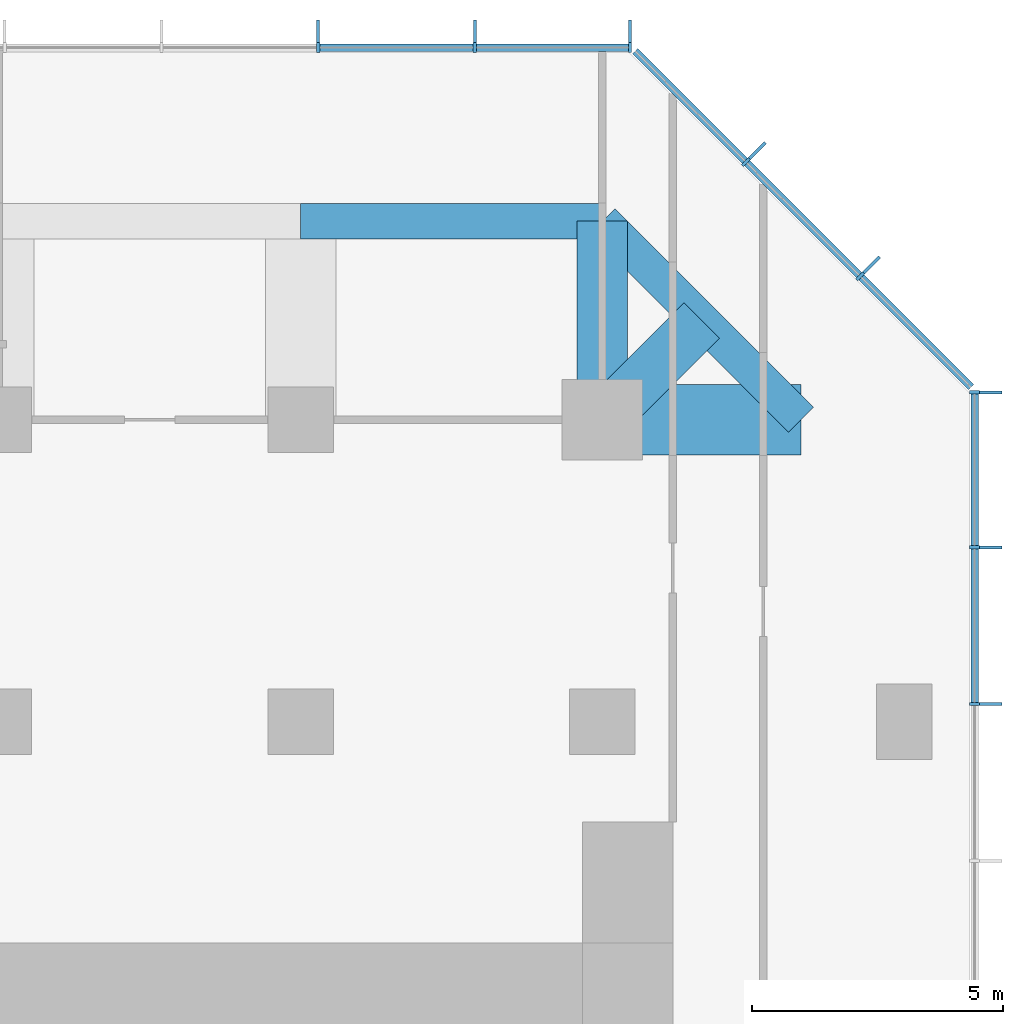
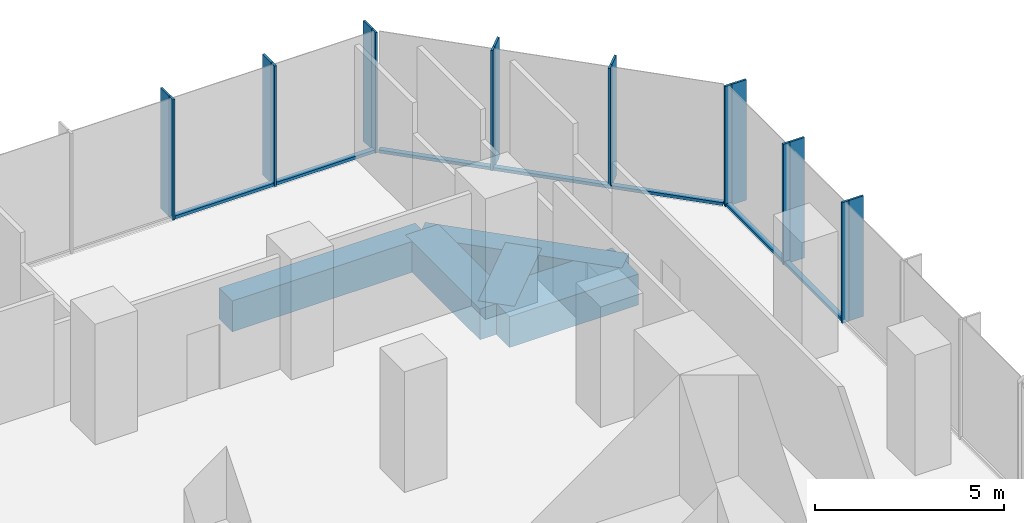
# One storey, part 6 of 11: 23 members, 5 beams, 3 elements without a shape of their own.
"""IFC4 building model written with IfcOpenShell, lengths in metres."""

import ifcopenshell
import ifcopenshell.guid

model = None  # the IFC model being written
_history = None  # IfcOwnerHistory: only IFC2X3 demands one
_inside = {}  # id of a spatial element -> (the spatial element, [elements in it])
_under = {}  # id of a project, library or spatial element -> (it, [spatial elements below it])
_declared = {}  # id of a project -> (the project, [libraries it declares])
_typed = {}  # id of a type object -> (the type object, [elements of that type])
_made_of = {}  # id of a material, layer set ... -> (it, [elements and type objects made of it])


def new_model(schema):
    """Start an empty IFC model of exactly this schema.

    Asked for "IFC4X3", IfcOpenShell would pick the latest addendum, in which some entities
    have other attributes; the version numbers below select the first issue.
    IFC2X3 requires an IfcOwnerHistory on every rooted entity: one is made here for all.
    """
    global model, _history
    if schema == "IFC4X3":
        model = ifcopenshell.file(schema_version=(4, 3, 0, 0))
    else:
        model = ifcopenshell.file(schema=schema)
    _inside.clear()
    _under.clear()
    _declared.clear()
    _typed.clear()
    _made_of.clear()
    _history = None
    if model.schema == "IFC2X3":
        org = make("IfcOrganization", Name="unknown")
        user = make(
            "IfcPersonAndOrganization",
            ThePerson=make("IfcPerson", FamilyName="unknown"),
            TheOrganization=org,
        )
        app = make(
            "IfcApplication",
            ApplicationDeveloper=org,
            Version="unknown",
            ApplicationFullName="unknown",
            ApplicationIdentifier="unknown",
        )
        _history = make(
            "IfcOwnerHistory",
            OwningUser=user,
            OwningApplication=app,
            ChangeAction="ADDED",
            CreationDate=0,
        )
    return model


def make(cls, **values):
    """One entity of the class cls with the attributes given. An attribute that is None is left unset."""
    return model.create_entity(
        cls, **{name: value for name, value in values.items() if value is not None}
    )


def rooted(cls, **values):
    """An entity with a GlobalId (a new one), such as an element, a storey or a relation."""
    return make(cls, GlobalId=ifcopenshell.guid.new(), OwnerHistory=_history, **values)


def si_unit(unit_type, name, prefix=None):
    """IfcSIUnit, for example si_unit("LENGTHUNIT", "METRE", prefix="MILLI")."""
    return make("IfcSIUnit", UnitType=unit_type, Prefix=prefix, Name=name)


def assignment(units):
    """IfcUnitAssignment: the units of a project."""
    return None if units is None else make("IfcUnitAssignment", Units=units)


def point(xyz):
    """IfcCartesianPoint."""
    return None if xyz is None else make("IfcCartesianPoint", Coordinates=xyz)


def direction(xyz):
    """IfcDirection."""
    return None if xyz is None else make("IfcDirection", DirectionRatios=xyz)


def frame(location, z_axis=None, x_axis=None):
    """IfcAxis2Placement3D, a coordinate frame: its origin and axes. An axis left out is left unset."""
    return make(
        "IfcAxis2Placement3D",
        Location=point(location),
        Axis=direction(z_axis),
        RefDirection=direction(x_axis),
    )


def frame_2d(location, x_axis=None):
    """IfcAxis2Placement2D, a coordinate frame in the plane: its origin and x axis."""
    return make(
        "IfcAxis2Placement2D", Location=point(location), RefDirection=direction(x_axis)
    )


def origin():
    """The frame at (0, 0, 0) with its axes left unset."""
    return frame((0.0, 0.0, 0.0))


def origin_2d():
    """The frame at (0, 0) in the plane with its x axis left unset."""
    return frame_2d((0.0, 0.0))


def place(relative_to, where):
    """IfcLocalPlacement: puts the frame where relative to a parent placement (None: the world)."""
    return make(
        "IfcLocalPlacement", PlacementRelTo=relative_to, RelativePlacement=where
    )


def context(
    kind, dimensions, precision=None, world=None, true_north=None, identifier=None
):
    """IfcGeometricRepresentationContext, for example the 3D "Model" context."""
    return make(
        "IfcGeometricRepresentationContext",
        ContextIdentifier=identifier,
        ContextType=kind,
        CoordinateSpaceDimension=dimensions,
        Precision=precision,
        WorldCoordinateSystem=world,
        TrueNorth=true_north,
    )


def subcontext(parent, identifier, kind, view, scale=None):
    """IfcGeometricRepresentationSubContext, for example "Body" below "Model"."""
    return make(
        "IfcGeometricRepresentationSubContext",
        ContextIdentifier=identifier,
        ContextType=kind,
        ParentContext=parent,
        TargetScale=scale,
        TargetView=view,
    )


def project(units=None, contexts=None):
    """IfcProject with its units and contexts."""
    return rooted(
        "IfcProject",
        Name="project",
        RepresentationContexts=contexts,
        UnitsInContext=assignment(units),
    )


def spatial(cls, under=None, at=None, **own):
    """A site, building, storey or space (cls), placed at a placement, below another one or the project."""
    s = rooted(cls, ObjectPlacement=at, **own)
    if under is not None:
        _under.setdefault(under.id(), (under, []))[1].append(s)
    return s


def profile(cls, at=None, kind="AREA", **sizes):
    """A parametric profile (cls). Its sizes go by their IFC names, for example OverallWidth=200.0."""
    return make(cls, ProfileType=kind, Position=at, **sizes)


def rectangle(**sizes):
    """IfcRectangleProfileDef."""
    return profile("IfcRectangleProfileDef", **sizes)


def extrude(swept, where, along, depth):
    """IfcExtrudedAreaSolid: the profile swept, set in the frame where, extruded along a direction by depth."""
    return make(
        "IfcExtrudedAreaSolid",
        SweptArea=swept,
        Position=where,
        ExtrudedDirection=direction(along),
        Depth=depth,
    )


def shape(context_of_items, identifier, shape_type, items):
    """IfcShapeRepresentation: the items that make up one representation, for example the "Body"."""
    return make(
        "IfcShapeRepresentation",
        ContextOfItems=context_of_items,
        RepresentationIdentifier=identifier,
        RepresentationType=shape_type,
        Items=items,
    )


def material(Name=None, Category=None):
    """IfcMaterial."""
    return make("IfcMaterial", Name=Name, Category=Category)


def layer(
    of_material, thickness, ventilated=None, Name=None, Category=None, Priority=None
):
    """IfcMaterialLayer: one layer of a wall or slab, of a material (None: an air gap)."""
    return make(
        "IfcMaterialLayer",
        Material=of_material,
        LayerThickness=thickness,
        IsVentilated=ventilated,
        Name=Name,
        Category=Category,
        Priority=Priority,
    )


def layer_set(layers, Name=None):
    """IfcMaterialLayerSet."""
    return make("IfcMaterialLayerSet", MaterialLayers=layers, LayerSetName=Name)


def material_profile(
    of_material, cross_section, Name=None, Category=None, Priority=None
):
    """IfcMaterialProfile: a cross section and its material."""
    return make(
        "IfcMaterialProfile",
        Name=Name,
        Material=of_material,
        Profile=cross_section,
        Priority=Priority,
        Category=Category,
    )


def profile_set(profiles, Name=None, composite=None):
    """IfcMaterialProfileSet."""
    return make(
        "IfcMaterialProfileSet",
        Name=Name,
        MaterialProfiles=profiles,
        CompositeProfile=composite,
    )


def made_of(thing, what):
    """Note that an element or type object is made of a material, layer set ...; save() writes the relation."""
    if what is not None:
        _made_of.setdefault(what.id(), (what, []))[1].append(thing)
    return thing


def type_object(cls, material=None, **own):
    """A type object (cls), such as IfcWallType, which elements share."""
    return made_of(rooted(cls, **own), material)


def element(
    cls,
    number,
    at=None,
    inside=None,
    cuts=None,
    type_object=None,
    material=None,
    context=None,
    identifier="Body",
    shape_type=None,
    held_by="IfcProductDefinitionShape",
    body=None,
    shapes=None,
    **own,
):
    """One element of the class cls, such as IfcWall. Its Tag is "e" and its number.

    at: its placement. inside: the storey or other place that contains it. cuts: it is an
    opening in that element (IfcRelVoidsElement). A single representation is given by context,
    identifier, shape_type and body (its items); several are given by shapes. held_by: the class
    of the entity that holds the representations. save() writes the other relations.
    """
    e = rooted(cls, Tag="e%d" % number, ObjectPlacement=at, **own)
    if body is not None:
        shapes = [shape(context, identifier, shape_type, body)]
    if shapes is not None:
        e.Representation = make(held_by, Representations=shapes)
    if inside is not None:
        _inside.setdefault(inside.id(), (inside, []))[1].append(e)
    if cuts is not None:
        rooted(
            "IfcRelVoidsElement", RelatingBuildingElement=cuts, RelatedOpeningElement=e
        )
    if type_object is not None:
        _typed.setdefault(type_object.id(), (type_object, []))[1].append(e)
    return made_of(e, material)


def aggregate(whole, parts):
    """IfcRelAggregates: a whole, such as a stair, and the parts it consists of."""
    return rooted("IfcRelAggregates", RelatingObject=whole, RelatedObjects=parts)


def save(model, path):
    """Write the relations noted so far, then the file.

    IfcRelAggregates (storeys below a building ...), IfcRelContainedInSpatialStructure (elements
    in a storey), IfcRelDefinesByType, IfcRelAssociatesMaterial and IfcRelDeclares: one each for
    every whole, place, type object, material and project.
    """
    for whole, parts in _under.values():
        aggregate(whole, parts)
    for where, things in _inside.values():
        rooted(
            "IfcRelContainedInSpatialStructure",
            RelatedElements=things,
            RelatingStructure=where,
        )
    for kind, things in _typed.values():
        rooted("IfcRelDefinesByType", RelatedObjects=things, RelatingType=kind)
    for what, things in _made_of.values():
        rooted("IfcRelAssociatesMaterial", RelatedObjects=things, RelatingMaterial=what)
    for by, libraries in _declared.values():
        rooted("IfcRelDeclares", RelatingContext=by, RelatedDefinitions=libraries)
    model.write(path)


model = new_model("IFC4")

# Units and contexts
model_context = context("Model", 3, precision=1e-05, world=origin(), true_north=direction((0.0, 1.0)))
body_context = subcontext(model_context, "Body", "Model", "MODEL_VIEW")
ifc_project = project(units=[si_unit("LENGTHUNIT", "METRE"), si_unit("AREAUNIT", "SQUARE_METRE"), si_unit("VOLUMEUNIT", "CUBIC_METRE"), si_unit("PLANEANGLEUNIT", "RADIAN"), si_unit("MASSUNIT", "GRAM", prefix="KILO")], contexts=[model_context])

# Site, building, storey
site_placement = place(None, origin())
site = spatial("IfcSite", under=ifc_project, at=site_placement, CompositionType="ELEMENT")
building_placement = place(site_placement, origin())
building = spatial("IfcBuilding", under=site, at=building_placement, Name="Highveld Stack Headquarters", CompositionType="ELEMENT")
storey_placement = place(building_placement, frame((0.0, 0.0, 200.60009765625)))
storey = spatial("IfcBuildingStorey", under=building, at=storey_placement, Name="L49", CompositionType="ELEMENT", Elevation=200.60009765625)

# Beams
ifc_material_1 = material(Name="Concrete C60/75", Category="concrete")
ifc_material_profile_1 = material_profile(ifc_material_1, rectangle(XDim=1.0, YDim=1.0, at=origin_2d()), Name="RC 1000x1000")
ifc_profile_set_1 = profile_set([ifc_material_profile_1], Name="Concrete C60/75")
beam_type_1 = type_object("IfcBeamType", Name="CANTILEVER RIB RC 1000x1000", PredefinedType="USERDEFINED", material=ifc_profile_set_1)
beam_1_placement = place(storey_placement, frame((18.0, 24.0, -0.75), z_axis=(0.0, 1.0, 0.0), x_axis=(-1.0, 0.0, 0.0)))
element("IfcBeam", 1, at=beam_1_placement, inside=storey, type_object=beam_type_1, Name="Cantilever rib 9/J L49", ObjectType="CANTILEVER RIB", PredefinedType="USERDEFINED", context=body_context, shape_type="SweptSolid", body=[
    extrude(rectangle(XDim=1.0, YDim=1.0, at=origin_2d()), origin(), (0.0, 0.0, 1.0), 3.949951171875),
])
beam_2_placement = place(storey_placement, frame((18.0, 24.0, -0.75), z_axis=(0.707106781187, 0.707106781187, 0.0), x_axis=(-0.707106781187, 0.707106781187, 0.0)))
element("IfcBeam", 2, at=beam_2_placement, inside=storey, type_object=beam_type_1, Name="Cantilever rib 9/J L49", ObjectType="CANTILEVER RIB", PredefinedType="USERDEFINED", context=body_context, shape_type="SweptSolid", body=[
    extrude(rectangle(XDim=1.0, YDim=1.0, at=origin_2d()), origin(), (0.0, 0.0, 1.0), 2.793212890625),
])
ifc_material_2 = material(Name="Concrete C60/75", Category="concrete")
ifc_material_profile_2 = material_profile(ifc_material_2, rectangle(XDim=1.39990234375, YDim=1.0, at=origin_2d()), Name="RC 1400x1000")
ifc_profile_set_2 = profile_set([ifc_material_profile_2], Name="Concrete C60/75")
beam_type_2 = type_object("IfcBeamType", Name="CANTILEVER RIB RC 1400x1000", PredefinedType="USERDEFINED", material=ifc_profile_set_2)
beam_3_placement = place(storey_placement, frame((18.0, 24.0, -0.75), z_axis=(1.0, 0.0, 0.0), x_axis=(0.0, 1.0, 0.0)))
element("IfcBeam", 3, at=beam_3_placement, inside=storey, type_object=beam_type_2, Name="Cantilever rib 9/J L49", ObjectType="CANTILEVER RIB", PredefinedType="USERDEFINED", context=body_context, shape_type="SweptSolid", body=[
    extrude(rectangle(XDim=1.39990234375, YDim=1.0, at=origin_2d()), origin(), (0.0, 0.0, 1.0), 3.949951171875),
])

# Curtain wall, members
ifc_material_3 = material(Name="Aluminium bronze anodised", Category="aluminium")
ifc_layer_1 = layer(ifc_material_3, 0.199951171875)
ifc_layer_set_1 = layer_set([ifc_layer_1], Name="Aluminium bronze anodised")
curtain_wall_type_1 = type_object("IfcCurtainWallType", Name="CW1 TOWER UNITISED CURTAIN WALL", PredefinedType="NOTDEFINED", material=ifc_layer_set_1)
curtain_wall_1_placement = place(storey_placement, origin())
curtain_wall_1 = element("IfcCurtainWall", 4, at=curtain_wall_1_placement, inside=storey, type_object=curtain_wall_type_1, Name="Curtain wall CW1 L49 E", PredefinedType="NOTDEFINED")
ifc_material_4 = material(Name="Aluminium bronze anodised", Category="aluminium")
ifc_material_profile_3 = material_profile(ifc_material_4, rectangle(XDim=0.449951171875, YDim=0.06005859375, at=origin_2d()), Name="FIN 450x60")
ifc_profile_set_3 = profile_set([ifc_material_profile_3], Name="Aluminium bronze anodised")
member_type_1 = type_object("IfcMemberType", Name="CW1 BRONZE FIN 450x60", PredefinedType="USERDEFINED", material=ifc_profile_set_3)
member_1_placement = place(storey_placement, frame((25.72509765625, 18.347900390625, 0.0), z_axis=(0.0, 0.0, 1.0), x_axis=(-1.0, 0.0, 0.0)))
member_1 = element("IfcMember", 5, at=member_1_placement, type_object=member_type_1, Name="CW1 fin L49 9", ObjectType="FIN", PredefinedType="USERDEFINED", context=body_context, shape_type="SweptSolid", body=[
    extrude(rectangle(XDim=0.449951171875, YDim=0.06005859375, at=origin_2d()), origin(), (0.0, 0.0, 1.0), 3.89990234375),
])
member_2_placement = place(storey_placement, frame((25.72509765625, 21.4638671875, 0.0), z_axis=(0.0, 0.0, 1.0), x_axis=(-1.0, 0.0, 0.0)))
member_2 = element("IfcMember", 6, at=member_2_placement, type_object=member_type_1, Name="CW1 fin L49 10", ObjectType="FIN", PredefinedType="USERDEFINED", context=body_context, shape_type="SweptSolid", body=[
    extrude(rectangle(XDim=0.449951171875, YDim=0.06005859375, at=origin_2d()), origin(), (0.0, 0.0, 1.0), 3.89990234375),
])
member_3_placement = place(storey_placement, frame((25.72509765625, 24.54736328125, 0.0), z_axis=(0.0, 0.0, 1.0), x_axis=(-1.0, 0.0, 0.0)))
member_3 = element("IfcMember", 7, at=member_3_placement, type_object=member_type_1, Name="CW1 fin L49 11", ObjectType="FIN", PredefinedType="USERDEFINED", context=body_context, shape_type="SweptSolid", body=[
    extrude(rectangle(XDim=0.449951171875, YDim=0.06005859375, at=origin_2d()), origin(), (0.0, 0.0, 1.0), 3.89990234375),
])

curtain_wall_2_placement = place(storey_placement, origin())
curtain_wall_2 = element("IfcCurtainWall", 8, at=curtain_wall_2_placement, inside=storey, type_object=curtain_wall_type_1, Name="Curtain wall CW1 L49 N", PredefinedType="NOTDEFINED")
member_4_placement = place(storey_placement, frame((18.54736328125, 31.72509765625, 0.0), z_axis=(0.0, 0.0, 1.0), x_axis=(0.0, -1.0, 0.0)))
member_4 = element("IfcMember", 9, at=member_4_placement, type_object=member_type_1, Name="CW1 fin L49 1", ObjectType="FIN", PredefinedType="USERDEFINED", context=body_context, shape_type="SweptSolid", body=[
    extrude(rectangle(XDim=0.449951171875, YDim=0.06005859375, at=origin_2d()), origin(), (0.0, 0.0, 1.0), 3.89990234375),
])
member_5_placement = place(storey_placement, frame((15.4638671875, 31.72509765625, 0.0), z_axis=(0.0, 0.0, 1.0), x_axis=(0.0, -1.0, 0.0)))
member_5 = element("IfcMember", 10, at=member_5_placement, type_object=member_type_1, Name="CW1 fin L49 2", ObjectType="FIN", PredefinedType="USERDEFINED", context=body_context, shape_type="SweptSolid", body=[
    extrude(rectangle(XDim=0.449951171875, YDim=0.06005859375, at=origin_2d()), origin(), (0.0, 0.0, 1.0), 3.89990234375),
])
member_6_placement = place(storey_placement, frame((12.347900390625, 31.72509765625, 0.0), z_axis=(0.0, 0.0, 1.0), x_axis=(0.0, -1.0, 0.0)))
member_6 = element("IfcMember", 11, at=member_6_placement, type_object=member_type_1, Name="CW1 fin L49 3", ObjectType="FIN", PredefinedType="USERDEFINED", context=body_context, shape_type="SweptSolid", body=[
    extrude(rectangle(XDim=0.449951171875, YDim=0.06005859375, at=origin_2d()), origin(), (0.0, 0.0, 1.0), 3.89990234375),
])

# Member
ifc_material_5 = material(Name="Aluminium bronze anodised", Category="aluminium")
ifc_material_profile_4 = material_profile(ifc_material_5, rectangle(XDim=0.199951171875, YDim=0.06494140625, at=origin_2d()), Name="CW1 MULLION 65x200")
ifc_profile_set_4 = profile_set([ifc_material_profile_4], Name="Aluminium bronze anodised")
member_type_2 = type_object("IfcMemberType", Name="CW1 MULLION 65x200", PredefinedType="MULLION", material=ifc_profile_set_4)
member_7_placement = place(storey_placement, frame((25.39990234375, 18.347900390625, 0.0), z_axis=(0.0, 0.0, 1.0), x_axis=(-1.0, 0.0, 0.0)))
member_7 = element("IfcMember", 12, at=member_7_placement, type_object=member_type_2, Name="CW1 mullion L49 9", PredefinedType="MULLION", context=body_context, shape_type="SweptSolid", body=[
    extrude(rectangle(XDim=0.199951171875, YDim=0.06494140625, at=origin_2d()), origin(), (0.0, 0.0, 1.0), 3.89990234375),
])

member_8_placement = place(storey_placement, frame((25.39990234375, 21.4638671875, 0.0), z_axis=(0.0, 0.0, 1.0), x_axis=(-1.0, 0.0, 0.0)))
member_8 = element("IfcMember", 13, at=member_8_placement, type_object=member_type_2, Name="CW1 mullion L49 10", PredefinedType="MULLION", context=body_context, shape_type="SweptSolid", body=[
    extrude(rectangle(XDim=0.199951171875, YDim=0.06494140625, at=origin_2d()), origin(), (0.0, 0.0, 1.0), 3.89990234375),
])

member_9_placement = place(storey_placement, frame((25.39990234375, 24.54736328125, 0.0), z_axis=(0.0, 0.0, 1.0), x_axis=(-1.0, 0.0, 0.0)))
member_9 = element("IfcMember", 14, at=member_9_placement, type_object=member_type_2, Name="CW1 mullion L49 11", PredefinedType="MULLION", context=body_context, shape_type="SweptSolid", body=[
    extrude(rectangle(XDim=0.199951171875, YDim=0.06494140625, at=origin_2d()), origin(), (0.0, 0.0, 1.0), 3.89990234375),
])

member_10_placement = place(storey_placement, frame((18.54736328125, 31.39990234375, 0.0), z_axis=(0.0, 0.0, 1.0), x_axis=(0.0, -1.0, 0.0)))
member_10 = element("IfcMember", 15, at=member_10_placement, type_object=member_type_2, Name="CW1 mullion L49 1", PredefinedType="MULLION", context=body_context, shape_type="SweptSolid", body=[
    extrude(rectangle(XDim=0.199951171875, YDim=0.06494140625, at=origin_2d()), origin(), (0.0, 0.0, 1.0), 3.89990234375),
])

member_11_placement = place(storey_placement, frame((15.4638671875, 31.39990234375, 0.0), z_axis=(0.0, 0.0, 1.0), x_axis=(0.0, -1.0, 0.0)))
member_11 = element("IfcMember", 16, at=member_11_placement, type_object=member_type_2, Name="CW1 mullion L49 2", PredefinedType="MULLION", context=body_context, shape_type="SweptSolid", body=[
    extrude(rectangle(XDim=0.199951171875, YDim=0.06494140625, at=origin_2d()), origin(), (0.0, 0.0, 1.0), 3.89990234375),
])

member_12_placement = place(storey_placement, frame((12.347900390625, 31.39990234375, 0.0), z_axis=(0.0, 0.0, 1.0), x_axis=(0.0, -1.0, 0.0)))
member_12 = element("IfcMember", 17, at=member_12_placement, type_object=member_type_2, Name="CW1 mullion L49 3", PredefinedType="MULLION", context=body_context, shape_type="SweptSolid", body=[
    extrude(rectangle(XDim=0.199951171875, YDim=0.06494140625, at=origin_2d()), origin(), (0.0, 0.0, 1.0), 3.89990234375),
])

ifc_material_6 = material(Name="Aluminium bronze anodised", Category="aluminium")
ifc_material_profile_5 = material_profile(ifc_material_6, rectangle(XDim=0.14990234375, YDim=0.10009765625, at=origin_2d()), Name="CW1 TRANSOM 150x100")
ifc_profile_set_5 = profile_set([ifc_material_profile_5], Name="Aluminium bronze anodised")
member_type_3 = type_object("IfcMemberType", Name="CW1 STACK TRANSOM 150x100", PredefinedType="USERDEFINED", material=ifc_profile_set_5)
member_13_placement = place(storey_placement, frame((25.39990234375, 18.38037109375, 0.0498046875), z_axis=(0.0, 1.0, 0.0), x_axis=(-1.0, 0.0, 0.0)))
member_13 = element("IfcMember", 18, at=member_13_placement, type_object=member_type_3, Name="CW1 transom L49 9.1", ObjectType="TRANSOM", PredefinedType="USERDEFINED", context=body_context, shape_type="SweptSolid", body=[
    extrude(rectangle(XDim=0.14990234375, YDim=0.10009765625, at=origin_2d()), origin(), (0.0, 0.0, 1.0), 3.051025390625),
])

member_14_placement = place(storey_placement, frame((25.39990234375, 21.496337890625, 0.0498046875), z_axis=(0.0, 1.0, 0.0), x_axis=(-1.0, 0.0, 0.0)))
member_14 = element("IfcMember", 19, at=member_14_placement, type_object=member_type_3, Name="CW1 transom L49 10.1", ObjectType="TRANSOM", PredefinedType="USERDEFINED", context=body_context, shape_type="SweptSolid", body=[
    extrude(rectangle(XDim=0.14990234375, YDim=0.10009765625, at=origin_2d()), origin(), (0.0, 0.0, 1.0), 3.0185546875),
])

aggregate(curtain_wall_1, [member_7, member_1, member_8, member_2, member_9, member_3, member_13, member_14])

member_15_placement = place(storey_placement, frame((18.514892578125, 31.39990234375, 0.0498046875), z_axis=(-1.0, 0.0, 0.0), x_axis=(0.0, -1.0, 0.0)))
member_15 = element("IfcMember", 20, at=member_15_placement, type_object=member_type_3, Name="CW1 transom L49 1.1", ObjectType="TRANSOM", PredefinedType="USERDEFINED", context=body_context, shape_type="SweptSolid", body=[
    extrude(rectangle(XDim=0.14990234375, YDim=0.10009765625, at=origin_2d()), origin(), (0.0, 0.0, 1.0), 3.0185546875),
])

member_16_placement = place(storey_placement, frame((15.431396484375, 31.39990234375, 0.0498046875), z_axis=(-1.0, 0.0, 0.0), x_axis=(0.0, -1.0, 0.0)))
member_16 = element("IfcMember", 21, at=member_16_placement, type_object=member_type_3, Name="CW1 transom L49 2.1", ObjectType="TRANSOM", PredefinedType="USERDEFINED", context=body_context, shape_type="SweptSolid", body=[
    extrude(rectangle(XDim=0.14990234375, YDim=0.10009765625, at=origin_2d()), origin(), (0.0, 0.0, 1.0), 3.051025390625),
])

aggregate(curtain_wall_2, [member_10, member_4, member_11, member_5, member_12, member_6, member_15, member_16])

# Curtain wall, members
ifc_material_7 = material(Name="Aluminium bronze anodised", Category="aluminium")
ifc_layer_2 = layer(ifc_material_7, 0.199951171875)
ifc_layer_set_2 = layer_set([ifc_layer_2], Name="Aluminium bronze anodised")
curtain_wall_type_2 = type_object("IfcCurtainWallType", Name="CW2 TOWER CHAMFER UNITISED CURTAIN WALL", PredefinedType="NOTDEFINED", material=ifc_layer_set_2)
curtain_wall_3_placement = place(storey_placement, origin())
curtain_wall_3 = element("IfcCurtainWall", 22, at=curtain_wall_3_placement, inside=storey, type_object=curtain_wall_type_2, Name="Curtain wall CW2 L49 NE", PredefinedType="NOTDEFINED")
ifc_material_8 = material(Name="Aluminium bronze anodised", Category="aluminium")
ifc_material_profile_6 = material_profile(ifc_material_8, rectangle(XDim=0.449951171875, YDim=0.06005859375, at=origin_2d()), Name="FIN 450x60")
ifc_profile_set_6 = profile_set([ifc_material_profile_6], Name="Aluminium bronze anodised")
member_type_4 = type_object("IfcMemberType", Name="CW2 BRONZE FIN 450x60", PredefinedType="USERDEFINED", material=ifc_profile_set_6)
member_17_placement = place(storey_placement, frame((23.3564453125, 27.0830078125, 0.0), z_axis=(0.0, 0.0, 1.0), x_axis=(-0.707106781187, -0.707106781187, 0.0)))
member_17 = element("IfcMember", 23, at=member_17_placement, type_object=member_type_4, Name="CW2 fin L49 1", ObjectType="FIN", PredefinedType="USERDEFINED", context=body_context, shape_type="SweptSolid", body=[
    extrude(rectangle(XDim=0.449951171875, YDim=0.06005859375, at=origin_2d()), origin(), (0.0, 0.0, 1.0), 3.89990234375),
])
member_18_placement = place(storey_placement, frame((21.0830078125, 29.3564453125, 0.0), z_axis=(0.0, 0.0, 1.0), x_axis=(-0.707106781187, -0.707106781187, 0.0)))
member_18 = element("IfcMember", 24, at=member_18_placement, type_object=member_type_4, Name="CW2 fin L49 2", ObjectType="FIN", PredefinedType="USERDEFINED", context=body_context, shape_type="SweptSolid", body=[
    extrude(rectangle(XDim=0.449951171875, YDim=0.06005859375, at=origin_2d()), origin(), (0.0, 0.0, 1.0), 3.89990234375),
])
ifc_material_9 = material(Name="Aluminium bronze anodised", Category="aluminium")
ifc_material_profile_7 = material_profile(ifc_material_9, rectangle(XDim=0.199951171875, YDim=0.06494140625, at=origin_2d()), Name="CW2 MULLION 65x200")
ifc_profile_set_7 = profile_set([ifc_material_profile_7], Name="Aluminium bronze anodised")
member_type_5 = type_object("IfcMemberType", Name="CW2 MULLION 65x200", PredefinedType="MULLION", material=ifc_profile_set_7)
member_19_placement = place(storey_placement, frame((23.126708984375, 26.853271484375, 0.0), z_axis=(0.0, 0.0, 1.0), x_axis=(-0.707106781187, -0.707106781187, 0.0)))
member_19 = element("IfcMember", 25, at=member_19_placement, type_object=member_type_5, Name="CW2 mullion L49 1", PredefinedType="MULLION", context=body_context, shape_type="SweptSolid", body=[
    extrude(rectangle(XDim=0.199951171875, YDim=0.06494140625, at=origin_2d()), origin(), (0.0, 0.0, 1.0), 3.89990234375),
])
member_20_placement = place(storey_placement, frame((20.853271484375, 29.126708984375, 0.0), z_axis=(0.0, 0.0, 1.0), x_axis=(-0.707106781187, -0.707106781187, 0.0)))
member_20 = element("IfcMember", 26, at=member_20_placement, type_object=member_type_5, Name="CW2 mullion L49 2", PredefinedType="MULLION", context=body_context, shape_type="SweptSolid", body=[
    extrude(rectangle(XDim=0.199951171875, YDim=0.06494140625, at=origin_2d()), origin(), (0.0, 0.0, 1.0), 3.89990234375),
])
ifc_material_10 = material(Name="Aluminium bronze anodised", Category="aluminium")
ifc_material_profile_8 = material_profile(ifc_material_10, rectangle(XDim=0.14990234375, YDim=0.10009765625, at=origin_2d()), Name="CW2 TRANSOM 150x100")
ifc_profile_set_8 = profile_set([ifc_material_profile_8], Name="Aluminium bronze anodised")
member_type_6 = type_object("IfcMemberType", Name="CW2 STACK TRANSOM 150x100", PredefinedType="USERDEFINED", material=ifc_profile_set_8)
member_21_placement = place(storey_placement, frame((25.329345703125, 24.650634765625, 0.0498046875), z_axis=(-0.707106781187, 0.707106781187, 0.0), x_axis=(-0.707106781187, -0.707106781187, 0.0)))
member_21 = element("IfcMember", 27, at=member_21_placement, type_object=member_type_6, Name="CW2 transom L49 1.1", ObjectType="TRANSOM", PredefinedType="USERDEFINED", context=body_context, shape_type="SweptSolid", body=[
    extrude(rectangle(XDim=0.14990234375, YDim=0.10009765625, at=origin_2d()), origin(), (0.0, 0.0, 1.0), 3.08251953125),
])
member_22_placement = place(storey_placement, frame((23.103759765625, 26.876220703125, 0.0498046875), z_axis=(-0.707106781187, 0.707106781187, 0.0), x_axis=(-0.707106781187, -0.707106781187, 0.0)))
member_22 = element("IfcMember", 28, at=member_22_placement, type_object=member_type_6, Name="CW2 transom L49 2.1", ObjectType="TRANSOM", PredefinedType="USERDEFINED", context=body_context, shape_type="SweptSolid", body=[
    extrude(rectangle(XDim=0.14990234375, YDim=0.10009765625, at=origin_2d()), origin(), (0.0, 0.0, 1.0), 3.150146484375),
])
member_23_placement = place(storey_placement, frame((20.830322265625, 29.149658203125, 0.0498046875), z_axis=(-0.707106781187, 0.707106781187, 0.0), x_axis=(-0.707106781187, -0.707106781187, 0.0)))
member_23 = element("IfcMember", 29, at=member_23_placement, type_object=member_type_6, Name="CW2 transom L49 3.1", ObjectType="TRANSOM", PredefinedType="USERDEFINED", context=body_context, shape_type="SweptSolid", body=[
    extrude(rectangle(XDim=0.14990234375, YDim=0.10009765625, at=origin_2d()), origin(), (0.0, 0.0, 1.0), 3.08251953125),
])
aggregate(curtain_wall_3, [member_19, member_17, member_20, member_18, member_21, member_22, member_23])

# Beams
ifc_material_11 = material(Name="Concrete C60/75", Category="concrete")
ifc_material_profile_9 = material_profile(ifc_material_11, rectangle(XDim=0.699951171875, YDim=1.0, at=origin_2d()), Name="RC 700x1000")
ifc_profile_set_9 = profile_set([ifc_material_profile_9], Name="Concrete C60/75")
beam_type_3 = type_object("IfcBeamType", Name="RIB TIP BEAM RC 700x1000", PredefinedType="SPANDREL", material=ifc_profile_set_9)
beam_4_placement = place(storey_placement, frame((12.0, 27.949951171875, -0.75), z_axis=(1.0, 0.0, 0.0), x_axis=(0.0, 1.0, 0.0)))
element("IfcBeam", 30, at=beam_4_placement, inside=storey, type_object=beam_type_3, Name="Rib tip beam 8/J to 9/J L49", PredefinedType="SPANDREL", context=body_context, shape_type="SweptSolid", body=[
    extrude(rectangle(XDim=0.699951171875, YDim=1.0, at=origin_2d()), origin(), (0.0, 0.0, 1.0), 6.0),
])
beam_5_placement = place(storey_placement, frame((21.949951171875, 24.0, -0.75), z_axis=(-0.707106781187, 0.707106781187, 0.0), x_axis=(-0.707106781187, -0.707106781187, 0.0)))
element("IfcBeam", 31, at=beam_5_placement, inside=storey, type_object=beam_type_3, Name="Rib tip beam 9/J corner L49", PredefinedType="SPANDREL", context=body_context, shape_type="SweptSolid", body=[
    extrude(rectangle(XDim=0.699951171875, YDim=1.0, at=origin_2d()), origin(), (0.0, 0.0, 1.0), 5.586181640625),
])

save(model, "model.ifc")
